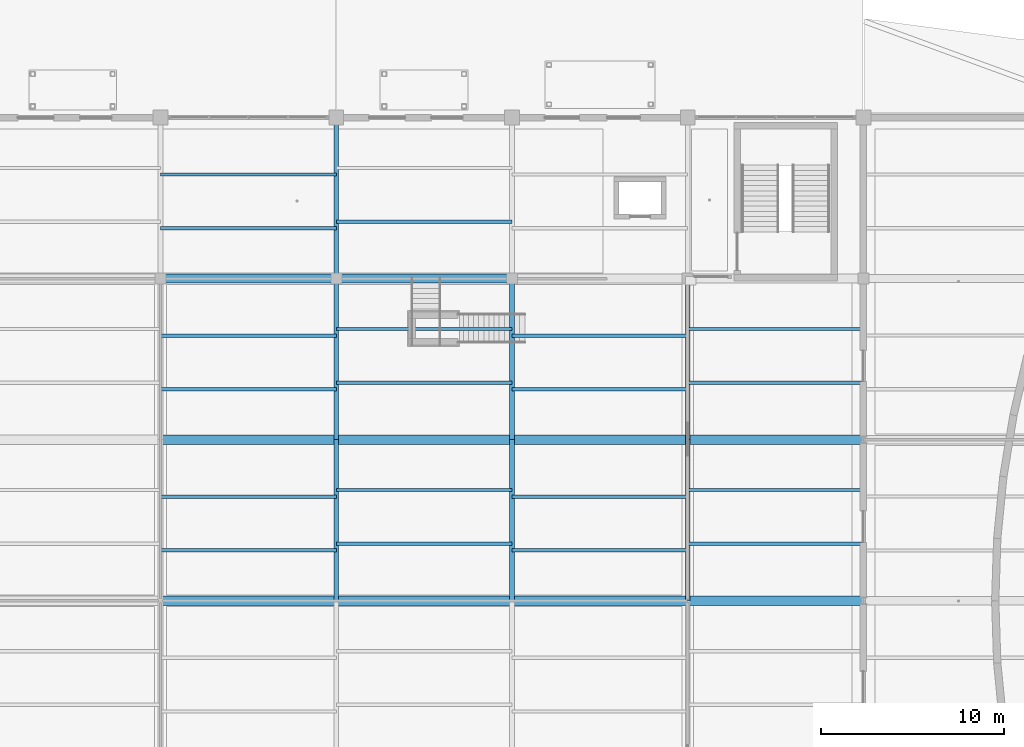
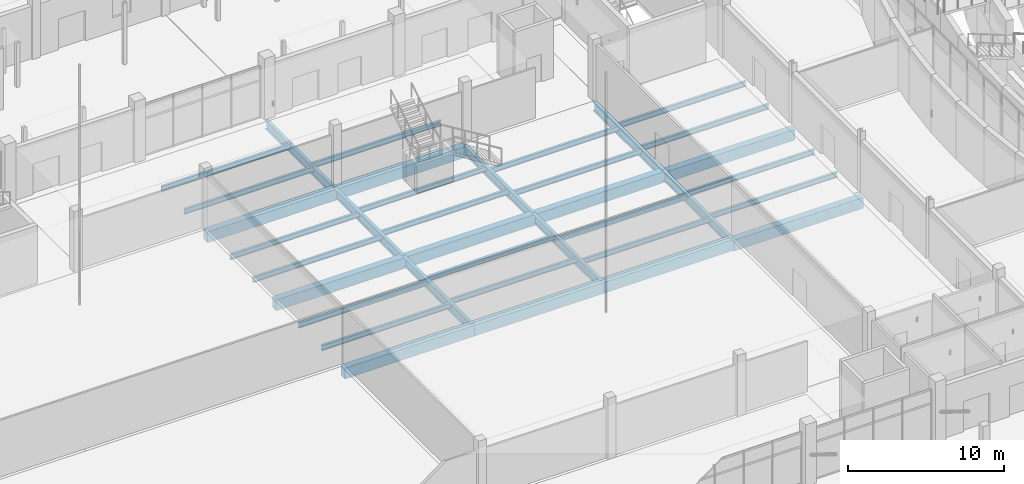
# One storey, part 51 of 116: 36 beams.
"""IFC4 building model written with IfcOpenShell, lengths in metres."""

from ifc_helpers import new_model, si_unit, direction, frame, origin, origin_2d, place, context, subcontext, project, spatial, rectangle, i_section, extrude, material, material_profile, profile_set, type_object, element, save


model = new_model("IFC4")

# Units and contexts
model_context = context("Model", 3, precision=1e-05, world=origin(), true_north=direction((0.0, 1.0)))
body_context = subcontext(model_context, "Body", "Model", "MODEL_VIEW")
ifc_project = project(units=[si_unit("LENGTHUNIT", "METRE"), si_unit("AREAUNIT", "SQUARE_METRE"), si_unit("VOLUMEUNIT", "CUBIC_METRE"), si_unit("PLANEANGLEUNIT", "RADIAN"), si_unit("MASSUNIT", "GRAM", prefix="KILO")], contexts=[model_context])

# Site, building, storey
site_placement = place(None, origin())
site = spatial("IfcSite", under=ifc_project, at=site_placement, CompositionType="ELEMENT")
building_placement = place(site_placement, origin())
building = spatial("IfcBuilding", under=site, at=building_placement, Name="Chalmorin Arch Market", CompositionType="ELEMENT")
storey_placement = place(building_placement, origin())
storey = spatial("IfcBuildingStorey", under=building, at=storey_placement, Name="L00", CompositionType="ELEMENT", Elevation=0.0)

# Beams
ifc_material_1 = material(Name="Concrete C40/50", Category="concrete")
ifc_material_profile_1 = material_profile(ifc_material_1, rectangle(XDim=0.5, YDim=0.85009765625, at=origin_2d()), Name="RC500X850")
ifc_profile_set_1 = profile_set([ifc_material_profile_1], Name="Concrete C40/50")
beam_type_1 = type_object("IfcBeamType", Name="PlinthConcreteGirder-500x850", PredefinedType="BEAM", material=ifc_profile_set_1)
for number, where, z_axis, x_axis, name in (
    (1, (86.39990234375, 32.39990234375, -0.70703125), (1.0, 0.0, 0.0), (0.0, 1.0, 0.0), "BG-RC1-0064"),
    (2, (86.39990234375, 41.199951171875, -0.70703125), (1.0, 0.0, 0.0), (0.0, 1.0, 0.0), "BG-RC1-0066"),
    (3, (86.39990234375, 50.0, -0.70703125), (1.0, 0.0, 0.0), (0.0, 1.0, 0.0), "BG-RC1-0068"),
    (4, (96.0, 32.39990234375, -0.70703125), (1.0, 0.0, 0.0), (0.0, 1.0, 0.0), "BG-RC1-0077"),
    (5, (96.0, 41.199951171875, -0.70703125), (1.0, 0.0, 0.0), (0.0, 1.0, 0.0), "BG-RC1-0079"),
    (6, (96.0, 50.0, -0.70703125), (1.0, 0.0, 0.0), (0.0, 1.0, 0.0), "BG-RC1-0081"),
):
    element("IfcBeam", number, at=place(storey_placement, frame(where, z_axis=z_axis, x_axis=x_axis)), inside=storey, type_object=beam_type_1, Name=name, PredefinedType="BEAM", context=body_context, shape_type="SweptSolid", body=[
        extrude(rectangle(XDim=0.5, YDim=0.85009765625, at=origin_2d()), origin(), (0.0, 0.0, 1.0), 9.60009765625),
    ])
for number, where, z_axis, x_axis, name in (
    (7, (105.60009765625, 32.39990234375, -0.70703125), (1.0, 0.0, 0.0), (0.0, 1.0, 0.0), "BG-RC1-0090"),
    (8, (105.60009765625, 41.199951171875, -0.70703125), (1.0, 0.0, 0.0), (0.0, 1.0, 0.0), "BG-RC1-0092"),
):
    element("IfcBeam", number, at=place(storey_placement, frame(where, z_axis=z_axis, x_axis=x_axis)), inside=storey, type_object=beam_type_1, Name=name, PredefinedType="BEAM", context=body_context, shape_type="SweptSolid", body=[
        extrude(rectangle(XDim=0.5, YDim=0.85009765625, at=origin_2d()), origin(), (0.0, 0.0, 1.0), 9.599853515625),
    ])
for number, where, z_axis, x_axis, name in (
    (9, (115.199951171875, 32.39990234375, -0.777099609375), (1.0, 0.0, 0.0), (0.0, 1.0, 0.0), "BG-RC1-0103"),
    (10, (115.199951171875, 41.199951171875, -0.777099609375), (1.0, 0.0, 0.0), (0.0, 1.0, 0.0), "BG-RC1-0105"),
):
    element("IfcBeam", number, at=place(storey_placement, frame(where, z_axis=z_axis, x_axis=x_axis)), inside=storey, type_object=beam_type_1, Name=name, PredefinedType="BEAM", context=body_context, shape_type="SweptSolid", body=[
        extrude(rectangle(XDim=0.5, YDim=0.85009765625, at=origin_2d()), origin(), (0.0, 0.0, 1.0), 9.60009765625),
    ])
ifc_material_2 = material(Name="Steel A992 Grade 50", Category="steel")
ifc_material_profile_2 = material_profile(ifc_material_2, i_section(OverallWidth=0.25390625, OverallDepth=0.68408203125, WebThickness=0.012451171875, FlangeThickness=0.018798828125, FilletRadius=0.02587890625, at=origin_2d()), Name="W27X94")
ifc_profile_set_2 = profile_set([ifc_material_profile_2], Name="Steel A992 Grade 50")
beam_type_2 = type_object("IfcBeamType", Name="PrimarySteelGirder-W27X94", PredefinedType="BEAM", material=ifc_profile_set_2)
for number, where, z_axis, x_axis, name in (
    (11, (96.0, 32.39990234375, -0.6240234375), (0.0, 1.0, 0.0), (-1.0, 0.0, 0.0), "BG-W27-0067"),
    (12, (96.0, 41.199951171875, -0.6240234375), (0.0, 1.0, 0.0), (-1.0, 0.0, 0.0), "BG-W27-0069"),
    (13, (96.0, 50.0, -0.64404296875), (0.0, 1.0, 0.0), (-1.0, 0.0, 0.0), "BG-W27-0071"),
    (14, (105.60009765625, 32.39990234375, -0.6240234375), (0.0, 1.0, 0.0), (-1.0, 0.0, 0.0), "BG-W27-0080"),
    (15, (105.60009765625, 41.199951171875, -0.6240234375), (0.0, 1.0, 0.0), (-1.0, 0.0, 0.0), "BG-W27-0082"),
    (16, (115.199951171875, 32.39990234375, -0.6240234375), (0.0, 1.0, 0.0), (-1.0, 0.0, 0.0), "BG-W27-0093"),
    (17, (115.199951171875, 41.199951171875, -0.6240234375), (0.0, 1.0, 0.0), (-1.0, 0.0, 0.0), "BG-W27-0095"),
):
    element("IfcBeam", number, at=place(storey_placement, frame(where, z_axis=z_axis, x_axis=x_axis)), inside=storey, type_object=beam_type_2, Name=name, PredefinedType="BEAM", context=body_context, shape_type="SweptSolid", body=[
        extrude(i_section(OverallWidth=0.25390625, OverallDepth=0.68408203125, WebThickness=0.012451171875, FlangeThickness=0.018798828125, FilletRadius=0.02587890625, at=origin_2d()), origin(), (0.0, 0.0, 1.0), 8.800048828125),
    ])
ifc_material_profile_3 = material_profile(ifc_material_2, i_section(OverallWidth=0.178955078125, OverallDepth=0.409912109375, WebThickness=0.0087890625, FlangeThickness=0.014404296875, FilletRadius=0.01806640625, at=origin_2d()), Name="W16X45")
ifc_profile_set_3 = profile_set([ifc_material_profile_3], Name="Steel A992 Grade 50")
beam_type_3 = type_object("IfcBeamType", Name="SecondaryFloorJoist-W16X45", PredefinedType="JOIST", material=ifc_profile_set_3)
for number, where, z_axis, x_axis, name in (
    (18, (86.39990234375, 35.1533203125, -0.487060546875), (1.0, 0.0, 0.0), (0.0, 1.0, 0.0), "BJ-W16A-0161"),
    (19, (86.39990234375, 38.086669921875, -0.487060546875), (1.0, 0.0, 0.0), (0.0, 1.0, 0.0), "BJ-W16A-0162"),
    (20, (86.39990234375, 43.953369140625, -0.487060546875), (1.0, 0.0, 0.0), (0.0, 1.0, 0.0), "BJ-W16A-0163"),
    (21, (86.39990234375, 46.88671875, -0.487060546875), (1.0, 0.0, 0.0), (0.0, 1.0, 0.0), "BJ-W16A-0164"),
    (22, (86.39990234375, 52.75341796875, -0.487060546875), (1.0, 0.0, 0.0), (0.0, 1.0, 0.0), "BJ-W16A-0165"),
    (23, (86.39990234375, 55.686767578125, -0.487060546875), (1.0, 0.0, 0.0), (0.0, 1.0, 0.0), "BJ-W16A-0166"),
    (24, (96.0, 35.51318359375, -0.487060546875), (1.0, 0.0, 0.0), (0.0, 1.0, 0.0), "BJ-W16A-0173"),
    (25, (96.0, 38.44677734375, -0.487060546875), (1.0, 0.0, 0.0), (0.0, 1.0, 0.0), "BJ-W16A-0174"),
    (26, (96.0, 44.313232421875, -0.487060546875), (1.0, 0.0, 0.0), (0.0, 1.0, 0.0), "BJ-W16A-0175"),
    (27, (96.0, 47.24658203125, -0.487060546875), (1.0, 0.0, 0.0), (0.0, 1.0, 0.0), "BJ-W16A-0176"),
    (28, (96.0, 53.11328125, -0.487060546875), (1.0, 0.0, 0.0), (0.0, 1.0, 0.0), "BJ-W16A-0177"),
):
    element("IfcBeam", number, at=place(storey_placement, frame(where, z_axis=z_axis, x_axis=x_axis)), inside=storey, type_object=beam_type_3, Name=name, PredefinedType="JOIST", context=body_context, shape_type="SweptSolid", body=[
        extrude(i_section(OverallWidth=0.178955078125, OverallDepth=0.409912109375, WebThickness=0.0087890625, FlangeThickness=0.014404296875, FilletRadius=0.01806640625, at=origin_2d()), origin(), (0.0, 0.0, 1.0), 9.60009765625),
    ])
for number, where, z_axis, x_axis, name in (
    (29, (105.60009765625, 35.1533203125, -0.487060546875), (1.0, 0.0, 0.0), (0.0, 1.0, 0.0), "BJ-W16A-0185"),
    (30, (105.60009765625, 38.086669921875, -0.487060546875), (1.0, 0.0, 0.0), (0.0, 1.0, 0.0), "BJ-W16A-0186"),
    (31, (105.60009765625, 43.953369140625, -0.487060546875), (1.0, 0.0, 0.0), (0.0, 1.0, 0.0), "BJ-W16A-0187"),
    (32, (105.60009765625, 46.88671875, -0.487060546875), (1.0, 0.0, 0.0), (0.0, 1.0, 0.0), "BJ-W16A-0188"),
):
    element("IfcBeam", number, at=place(storey_placement, frame(where, z_axis=z_axis, x_axis=x_axis)), inside=storey, type_object=beam_type_3, Name=name, PredefinedType="JOIST", context=body_context, shape_type="SweptSolid", body=[
        extrude(i_section(OverallWidth=0.178955078125, OverallDepth=0.409912109375, WebThickness=0.0087890625, FlangeThickness=0.014404296875, FilletRadius=0.01806640625, at=origin_2d()), origin(), (0.0, 0.0, 1.0), 9.599853515625),
    ])
for number, where, z_axis, x_axis, name in (
    (33, (115.199951171875, 35.51318359375, -0.556884765625), (1.0, 0.0, 0.0), (0.0, 1.0, 0.0), "BJ-W16A-0197"),
    (34, (115.199951171875, 38.44677734375, -0.556884765625), (1.0, 0.0, 0.0), (0.0, 1.0, 0.0), "BJ-W16A-0198"),
    (35, (115.199951171875, 44.313232421875, -0.556884765625), (1.0, 0.0, 0.0), (0.0, 1.0, 0.0), "BJ-W16A-0199"),
    (36, (115.199951171875, 47.24658203125, -0.556884765625), (1.0, 0.0, 0.0), (0.0, 1.0, 0.0), "BJ-W16A-0200"),
):
    element("IfcBeam", number, at=place(storey_placement, frame(where, z_axis=z_axis, x_axis=x_axis)), inside=storey, type_object=beam_type_3, Name=name, PredefinedType="JOIST", context=body_context, shape_type="SweptSolid", body=[
        extrude(i_section(OverallWidth=0.178955078125, OverallDepth=0.409912109375, WebThickness=0.0087890625, FlangeThickness=0.014404296875, FilletRadius=0.01806640625, at=origin_2d()), origin(), (0.0, 0.0, 1.0), 9.60009765625),
    ])

save(model, "model.ifc")
